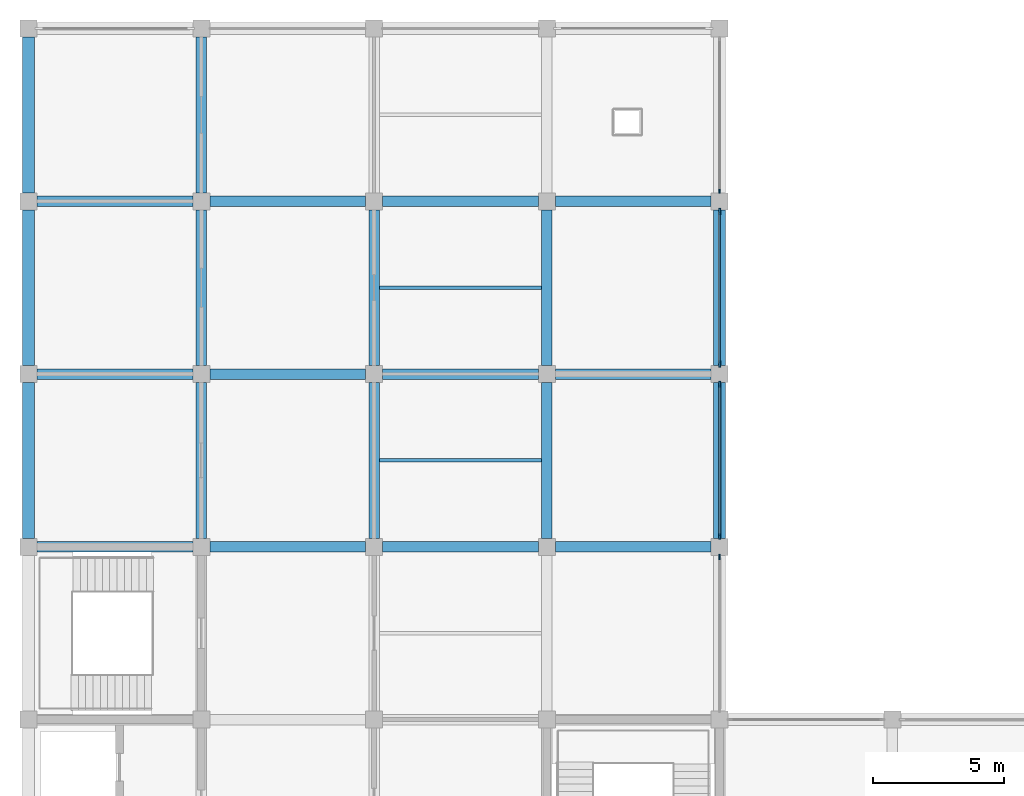
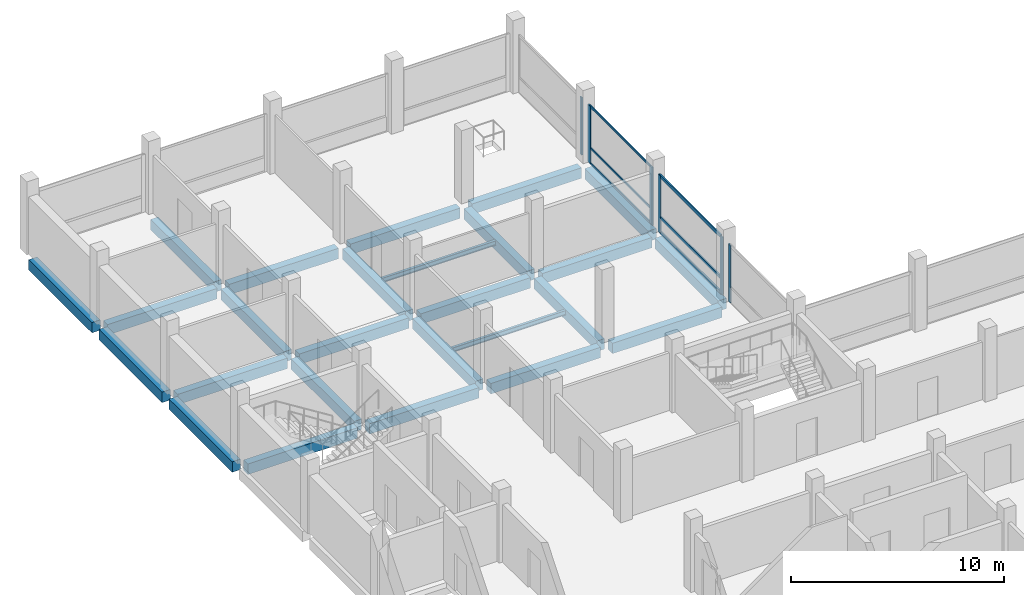
# One storey, part 3 of 9: 26 beams, 12 members, 4 elements without a shape of their own.
"""IFC4 building model written with IfcOpenShell, lengths in metres."""

from ifc_helpers import new_model, si_unit, direction, frame, origin, origin_2d, place, context, subcontext, project, spatial, rectangle, i_section, extrude, material, material_profile, profile_set, type_object, element, aggregate, save


model = new_model("IFC4")

# Units and contexts
model_context = context("Model", 3, precision=1e-05, world=origin(), true_north=direction((0.0, 1.0)))
body_context = subcontext(model_context, "Body", "Model", "MODEL_VIEW")
ifc_project = project(units=[si_unit("LENGTHUNIT", "METRE"), si_unit("AREAUNIT", "SQUARE_METRE"), si_unit("VOLUMEUNIT", "CUBIC_METRE"), si_unit("PLANEANGLEUNIT", "RADIAN"), si_unit("MASSUNIT", "GRAM", prefix="KILO")], contexts=[model_context])

# Site, building, storey
site_placement = place(None, origin())
site = spatial("IfcSite", under=ifc_project, at=site_placement, CompositionType="ELEMENT")
building_placement = place(site_placement, origin())
building = spatial("IfcBuilding", under=site, at=building_placement, Name="Rusizi Kubbe Research Institute", CompositionType="ELEMENT")
storey_placement = place(building_placement, frame((0.0, 0.0, 60.60009765625)))
storey = spatial("IfcBuildingStorey", under=building, at=storey_placement, Name="L14", CompositionType="ELEMENT", Elevation=60.60009765625)

# Beams
ifc_material_1 = material(Name="Steel S355", Category="steel")
ifc_material_profile_1 = material_profile(ifc_material_1, i_section(OverallWidth=0.135009765625, OverallDepth=0.27001953125, WebThickness=0.006591796875, FlangeThickness=0.01025390625, at=origin_2d()), Name="IPE 270")
ifc_profile_set_1 = profile_set([ifc_material_profile_1], Name="Steel S355")
beam_type_1 = type_object("IfcBeamType", Name="BM-IPE270", PredefinedType="JOIST", material=ifc_profile_set_1)
for number, where, z_axis, x_axis, name in (
    (1, (13.39990234375, 36.300048828125, -0.43505859375), (1.0, 0.0, 0.0), (0.0, 1.0, 0.0), "Lab Stiffener Joist L14 (2,5)"),
    (2, (13.39990234375, 42.89990234375, -0.43505859375), (1.0, 0.0, 0.0), (0.0, 1.0, 0.0), "Lab Stiffener Joist L14 (2,6)"),
):
    element("IfcBeam", number, at=place(storey_placement, frame(where, z_axis=z_axis, x_axis=x_axis)), inside=storey, type_object=beam_type_1, Name=name, PredefinedType="JOIST", context=body_context, shape_type="SweptSolid", body=[
        extrude(i_section(OverallWidth=0.135009765625, OverallDepth=0.27001953125, WebThickness=0.006591796875, FlangeThickness=0.01025390625, at=origin_2d()), origin(), (0.0, 0.0, 1.0), 6.2001953125),
    ])
ifc_material_2 = material(Name="Concrete C40/50", Category="concrete")
ifc_material_profile_2 = material_profile(ifc_material_2, rectangle(XDim=0.39990234375, YDim=0.60009765625, at=origin_2d()), Name="RC400x600")
ifc_profile_set_2 = profile_set([ifc_material_profile_2], Name="Concrete C40/50")
beam_type_2 = type_object("IfcBeamType", Name="BM-RC400x600", PredefinedType="BEAM", material=ifc_profile_set_2)
for number, where, z_axis, x_axis, name in (
    (3, (0.324951171875, 33.0, -0.60009765625), (1.0, 0.0, 0.0), (0.0, 1.0, 0.0), "Grid Beam H L14 (0,5)"),
    (4, (0.324951171875, 39.60009765625, -0.60009765625), (1.0, 0.0, 0.0), (0.0, 1.0, 0.0), "Grid Beam H L14 (0,6)"),
    (5, (0.324951171875, 46.199951171875, -0.60009765625), (1.0, 0.0, 0.0), (0.0, 1.0, 0.0), "Grid Beam H L14 (0,7)"),
    (6, (6.925048828125, 33.0, -0.60009765625), (1.0, 0.0, 0.0), (0.0, 1.0, 0.0), "Grid Beam H L14 (1,5)"),
    (7, (6.925048828125, 39.60009765625, -0.60009765625), (1.0, 0.0, 0.0), (0.0, 1.0, 0.0), "Grid Beam H L14 (1,6)"),
    (8, (6.925048828125, 46.199951171875, -0.60009765625), (1.0, 0.0, 0.0), (0.0, 1.0, 0.0), "Grid Beam H L14 (1,7)"),
):
    element("IfcBeam", number, at=place(storey_placement, frame(where, z_axis=z_axis, x_axis=x_axis)), inside=storey, type_object=beam_type_2, Name=name, PredefinedType="BEAM", context=body_context, shape_type="SweptSolid", body=[
        extrude(rectangle(XDim=0.39990234375, YDim=0.60009765625, at=origin_2d()), origin(), (0.0, 0.0, 1.0), 5.949951171875),
    ])
for number, where, z_axis, x_axis, name in (
    (9, (13.52490234375, 33.0, -0.60009765625), (1.0, 0.0, 0.0), (0.0, 1.0, 0.0), "Grid Beam H L14 (2,5)"),
    (10, (13.52490234375, 39.60009765625, -0.60009765625), (1.0, 0.0, 0.0), (0.0, 1.0, 0.0), "Grid Beam H L14 (2,6)"),
    (11, (13.52490234375, 46.199951171875, -0.60009765625), (1.0, 0.0, 0.0), (0.0, 1.0, 0.0), "Grid Beam H L14 (2,7)"),
):
    element("IfcBeam", number, at=place(storey_placement, frame(where, z_axis=z_axis, x_axis=x_axis)), inside=storey, type_object=beam_type_2, Name=name, PredefinedType="BEAM", context=body_context, shape_type="SweptSolid", body=[
        extrude(rectangle(XDim=0.39990234375, YDim=0.60009765625, at=origin_2d()), origin(), (0.0, 0.0, 1.0), 5.9501953125),
    ])
for number, where, z_axis, x_axis, name in (
    (12, (20.125, 33.0, -0.60009765625), (1.0, 0.0, 0.0), (0.0, 1.0, 0.0), "Grid Beam H L14 (3,5)"),
    (13, (20.125, 39.60009765625, -0.60009765625), (1.0, 0.0, 0.0), (0.0, 1.0, 0.0), "Grid Beam H L14 (3,6)"),
    (14, (20.125, 46.199951171875, -0.60009765625), (1.0, 0.0, 0.0), (0.0, 1.0, 0.0), "Grid Beam H L14 (3,7)"),
    (15, (6.60009765625, 33.324951171875, -0.60009765625), (0.0, 1.0, 0.0), (-1.0, 0.0, 0.0), "Grid Beam V L14 (1,5)"),
    (16, (6.60009765625, 39.925048828125, -0.60009765625), (0.0, 1.0, 0.0), (-1.0, 0.0, 0.0), "Grid Beam V L14 (1,6)"),
):
    element("IfcBeam", number, at=place(storey_placement, frame(where, z_axis=z_axis, x_axis=x_axis)), inside=storey, type_object=beam_type_2, Name=name, PredefinedType="BEAM", context=body_context, shape_type="SweptSolid", body=[
        extrude(rectangle(XDim=0.39990234375, YDim=0.60009765625, at=origin_2d()), origin(), (0.0, 0.0, 1.0), 5.949951171875),
    ])
beam_1_placement = place(storey_placement, frame((6.60009765625, 46.52490234375, -0.60009765625), z_axis=(0.0, 1.0, 0.0), x_axis=(-1.0, 0.0, 0.0)))
element("IfcBeam", 17, at=beam_1_placement, inside=storey, type_object=beam_type_2, Name="Grid Beam V L14 (1,7)", PredefinedType="BEAM", context=body_context, shape_type="SweptSolid", body=[
    extrude(rectangle(XDim=0.39990234375, YDim=0.60009765625, at=origin_2d()), origin(), (0.0, 0.0, 1.0), 5.9501953125),
])
for number, where, z_axis, x_axis, name in (
    (18, (13.199951171875, 33.324951171875, -0.60009765625), (0.0, 1.0, 0.0), (-1.0, 0.0, 0.0), "Grid Beam V L14 (2,5)"),
    (19, (13.199951171875, 39.925048828125, -0.60009765625), (0.0, 1.0, 0.0), (-1.0, 0.0, 0.0), "Grid Beam V L14 (2,6)"),
    (20, (19.800048828125, 33.324951171875, -0.60009765625), (0.0, 1.0, 0.0), (-1.0, 0.0, 0.0), "Grid Beam V L14 (3,5)"),
    (21, (19.800048828125, 39.925048828125, -0.60009765625), (0.0, 1.0, 0.0), (-1.0, 0.0, 0.0), "Grid Beam V L14 (3,6)"),
):
    element("IfcBeam", number, at=place(storey_placement, frame(where, z_axis=z_axis, x_axis=x_axis)), inside=storey, type_object=beam_type_2, Name=name, PredefinedType="BEAM", context=body_context, shape_type="SweptSolid", body=[
        extrude(rectangle(XDim=0.39990234375, YDim=0.60009765625, at=origin_2d()), origin(), (0.0, 0.0, 1.0), 5.949951171875),
    ])
ifc_material_3 = material(Name="Concrete C40/50", Category="concrete")
ifc_material_profile_3 = material_profile(ifc_material_3, rectangle(XDim=0.449951171875, YDim=0.60009765625, at=origin_2d()), Name="RC450x600")
ifc_profile_set_3 = profile_set([ifc_material_profile_3], Name="Concrete C40/50")
beam_type_3 = type_object("IfcBeamType", Name="BM-RC450x600", PredefinedType="SPANDREL", material=ifc_profile_set_3)
for number, where, z_axis, x_axis, name in (
    (22, (0.0, 33.324951171875, -0.60009765625), (0.0, 1.0, 0.0), (-1.0, 0.0, 0.0), "Grid Beam V L14 (0,5)"),
    (23, (0.0, 39.925048828125, -0.60009765625), (0.0, 1.0, 0.0), (-1.0, 0.0, 0.0), "Grid Beam V L14 (0,6)"),
):
    element("IfcBeam", number, at=place(storey_placement, frame(where, z_axis=z_axis, x_axis=x_axis)), inside=storey, type_object=beam_type_3, Name=name, PredefinedType="SPANDREL", context=body_context, shape_type="SweptSolid", body=[
        extrude(rectangle(XDim=0.449951171875, YDim=0.60009765625, at=origin_2d()), origin(), (0.0, 0.0, 1.0), 5.949951171875),
    ])
beam_2_placement = place(storey_placement, frame((0.0, 46.52490234375, -0.60009765625), z_axis=(0.0, 1.0, 0.0), x_axis=(-1.0, 0.0, 0.0)))
element("IfcBeam", 24, at=beam_2_placement, inside=storey, type_object=beam_type_3, Name="Grid Beam V L14 (0,7)", PredefinedType="SPANDREL", context=body_context, shape_type="SweptSolid", body=[
    extrude(rectangle(XDim=0.449951171875, YDim=0.60009765625, at=origin_2d()), origin(), (0.0, 0.0, 1.0), 5.9501953125),
])
for number, where, z_axis, x_axis, name in (
    (25, (26.39990234375, 33.324951171875, -0.60009765625), (0.0, 1.0, 0.0), (-1.0, 0.0, 0.0), "Grid Beam V L14 (4,5)"),
    (26, (26.39990234375, 39.925048828125, -0.60009765625), (0.0, 1.0, 0.0), (-1.0, 0.0, 0.0), "Grid Beam V L14 (4,6)"),
):
    element("IfcBeam", number, at=place(storey_placement, frame(where, z_axis=z_axis, x_axis=x_axis)), inside=storey, type_object=beam_type_3, Name=name, PredefinedType="SPANDREL", context=body_context, shape_type="SweptSolid", body=[
        extrude(rectangle(XDim=0.449951171875, YDim=0.60009765625, at=origin_2d()), origin(), (0.0, 0.0, 1.0), 5.949951171875),
    ])

# Curtain wall, member
ifc_material_4 = material(Name="Thermally Broken Aluminium and Low-E Glazing", Category="aluminium")
curtain_wall_type = type_object("IfcCurtainWallType", Name="CW-16", PredefinedType="NOTDEFINED", material=ifc_material_4)
curtain_wall_1_placement = place(storey_placement, origin())
curtain_wall_1 = element("IfcCurtainWall", 27, at=curtain_wall_1_placement, inside=storey, type_object=curtain_wall_type, Name="Unitised Facade Curtain Wall CW-L14-V-04-07", PredefinedType="NOTDEFINED")
ifc_material_5 = material(Name="Aluminium Alloy 6063-T6", Category="aluminium")
ifc_material_profile_4 = material_profile(ifc_material_5, rectangle(XDim=0.06005859375, YDim=0.14990234375, at=origin_2d()), Name="ALU-M 60x150")
ifc_profile_set_4 = profile_set([ifc_material_profile_4], Name="Aluminium Alloy 6063-T6")
member_type_1 = type_object("IfcMemberType", Name="ML-01", PredefinedType="MULLION", material=ifc_profile_set_4)
member_1_placement = place(storey_placement, frame((26.39990234375, 46.5849609375, 0.0), z_axis=(0.0, 0.0, 1.0), x_axis=(-1.0, 0.0, 0.0)))
member_1 = element("IfcMember", 28, at=member_1_placement, type_object=member_type_1, Name="CW-16 mullion 1", PredefinedType="MULLION", context=body_context, shape_type="SweptSolid", body=[
    extrude(rectangle(XDim=0.06005859375, YDim=0.14990234375, at=origin_2d()), origin(), (0.0, 0.0, 1.0), 3.309814453125),
])
aggregate(curtain_wall_1, [member_1])

curtain_wall_2_placement = place(storey_placement, origin())
curtain_wall_2 = element("IfcCurtainWall", 29, at=curtain_wall_2_placement, inside=storey, type_object=curtain_wall_type, Name="Unitised Facade Curtain Wall CW-L14-V-04-04", PredefinedType="NOTDEFINED")
ifc_material_6 = material(Name="Aluminium Alloy 6063-T6", Category="aluminium")
ifc_material_profile_5 = material_profile(ifc_material_6, rectangle(XDim=0.06494140625, YDim=0.199951171875, at=origin_2d()), Name="ALU-M 65x200")
ifc_profile_set_5 = profile_set([ifc_material_profile_5], Name="Aluminium Alloy 6063-T6")
member_type_2 = type_object("IfcMemberType", Name="ML-03", PredefinedType="MULLION", material=ifc_profile_set_5)
member_2_placement = place(storey_placement, frame((26.39990234375, 32.612548828125, 0.0), z_axis=(0.0, 0.0, 1.0), x_axis=(-1.0, 0.0, 0.0)))
member_2 = element("IfcMember", 30, at=member_2_placement, type_object=member_type_2, Name="CW-16 mullion 2", PredefinedType="MULLION", context=body_context, shape_type="SweptSolid", body=[
    extrude(rectangle(XDim=0.06494140625, YDim=0.199951171875, at=origin_2d()), origin(), (0.0, 0.0, 1.0), 3.309814453125),
])
aggregate(curtain_wall_2, [member_2])

# Curtain wall, members
curtain_wall_3_placement = place(storey_placement, origin())
curtain_wall_3 = element("IfcCurtainWall", 31, at=curtain_wall_3_placement, inside=storey, type_object=curtain_wall_type, Name="Unitised Facade Curtain Wall CW-L14-V-04-05", PredefinedType="NOTDEFINED")
ifc_material_7 = material(Name="Aluminium Alloy 6063-T6", Category="aluminium")
ifc_material_profile_6 = material_profile(ifc_material_7, rectangle(XDim=0.070068359375, YDim=0.219970703125, at=origin_2d()), Name="ALU-M 70x220")
ifc_profile_set_6 = profile_set([ifc_material_profile_6], Name="Aluminium Alloy 6063-T6")
member_type_3 = type_object("IfcMemberType", Name="ML-04", PredefinedType="MULLION", material=ifc_profile_set_6)
member_3_placement = place(storey_placement, frame((26.39990234375, 33.389892578125, 0.0), z_axis=(0.0, 0.0, 1.0), x_axis=(-1.0, 0.0, 0.0)))
member_3 = element("IfcMember", 32, at=member_3_placement, type_object=member_type_3, Name="CW-16 mullion 1", PredefinedType="MULLION", context=body_context, shape_type="SweptSolid", body=[
    extrude(rectangle(XDim=0.070068359375, YDim=0.219970703125, at=origin_2d()), origin(), (0.0, 0.0, 1.0), 3.309814453125),
])
member_4_placement = place(storey_placement, frame((26.39990234375, 39.2099609375, 0.0), z_axis=(0.0, 0.0, 1.0), x_axis=(-1.0, 0.0, 0.0)))
member_4 = element("IfcMember", 33, at=member_4_placement, type_object=member_type_3, Name="CW-16 mullion 2", PredefinedType="MULLION", context=body_context, shape_type="SweptSolid", body=[
    extrude(rectangle(XDim=0.070068359375, YDim=0.219970703125, at=origin_2d()), origin(), (0.0, 0.0, 1.0), 3.309814453125),
])

curtain_wall_4_placement = place(storey_placement, origin())
curtain_wall_4 = element("IfcCurtainWall", 34, at=curtain_wall_4_placement, inside=storey, type_object=curtain_wall_type, Name="Unitised Facade Curtain Wall CW-L14-V-04-06", PredefinedType="NOTDEFINED")
ifc_material_8 = material(Name="Aluminium Alloy 6063-T6", Category="aluminium")
ifc_material_profile_7 = material_profile(ifc_material_8, rectangle(XDim=0.074951171875, YDim=0.25, at=origin_2d()), Name="ALU-M 75x250")
ifc_profile_set_7 = profile_set([ifc_material_profile_7], Name="Aluminium Alloy 6063-T6")
member_type_4 = type_object("IfcMemberType", Name="ML-05", PredefinedType="MULLION", material=ifc_profile_set_7)
member_5_placement = place(storey_placement, frame((26.39990234375, 39.992431640625, 0.0), z_axis=(0.0, 0.0, 1.0), x_axis=(-1.0, 0.0, 0.0)))
member_5 = element("IfcMember", 35, at=member_5_placement, type_object=member_type_4, Name="CW-16 mullion 1", PredefinedType="MULLION", context=body_context, shape_type="SweptSolid", body=[
    extrude(rectangle(XDim=0.074951171875, YDim=0.25, at=origin_2d()), origin(), (0.0, 0.0, 1.0), 3.309814453125),
])
member_6_placement = place(storey_placement, frame((26.39990234375, 45.8076171875, 0.0), z_axis=(0.0, 0.0, 1.0), x_axis=(-1.0, 0.0, 0.0)))
member_6 = element("IfcMember", 36, at=member_6_placement, type_object=member_type_4, Name="CW-16 mullion 2", PredefinedType="MULLION", context=body_context, shape_type="SweptSolid", body=[
    extrude(rectangle(XDim=0.074951171875, YDim=0.25, at=origin_2d()), origin(), (0.0, 0.0, 1.0), 3.309814453125),
])
ifc_material_9 = material(Name="Aluminium Alloy 6063-T6", Category="aluminium")
ifc_material_profile_8 = material_profile(ifc_material_9, rectangle(XDim=0.06005859375, YDim=0.1201171875, at=origin_2d()), Name="ALU-T 60x120")
ifc_profile_set_8 = profile_set([ifc_material_profile_8], Name="Aluminium Alloy 6063-T6")
member_type_5 = type_object("IfcMemberType", Name="TR-01", PredefinedType="USERDEFINED", material=ifc_profile_set_8)
member_7_placement = place(storey_placement, frame((26.39990234375, 40.030029296875, 0.02978515625), z_axis=(0.0, 1.0, 0.0), x_axis=(-1.0, 0.0, 0.0)))
member_7 = element("IfcMember", 37, at=member_7_placement, type_object=member_type_5, Name="CW-16 transom 1.1", ObjectType="TRANSOM", PredefinedType="USERDEFINED", context=body_context, shape_type="SweptSolid", body=[
    extrude(rectangle(XDim=0.06005859375, YDim=0.1201171875, at=origin_2d()), origin(), (0.0, 0.0, 1.0), 5.739990234375),
])
member_8_placement = place(storey_placement, frame((26.39990234375, 40.030029296875, 0.89990234375), z_axis=(0.0, 1.0, 0.0), x_axis=(-1.0, 0.0, 0.0)))
member_8 = element("IfcMember", 38, at=member_8_placement, type_object=member_type_5, Name="CW-16 transom 1.2", ObjectType="TRANSOM", PredefinedType="USERDEFINED", context=body_context, shape_type="SweptSolid", body=[
    extrude(rectangle(XDim=0.06005859375, YDim=0.1201171875, at=origin_2d()), origin(), (0.0, 0.0, 1.0), 5.739990234375),
])
member_9_placement = place(storey_placement, frame((26.39990234375, 40.030029296875, 3.27978515625), z_axis=(0.0, 1.0, 0.0), x_axis=(-1.0, 0.0, 0.0)))
member_9 = element("IfcMember", 39, at=member_9_placement, type_object=member_type_5, Name="CW-16 transom 1.3", ObjectType="TRANSOM", PredefinedType="USERDEFINED", context=body_context, shape_type="SweptSolid", body=[
    extrude(rectangle(XDim=0.06005859375, YDim=0.1201171875, at=origin_2d()), origin(), (0.0, 0.0, 1.0), 5.739990234375),
])
aggregate(curtain_wall_4, [member_5, member_6, member_7, member_8, member_9])

# Member
ifc_material_10 = material(Name="Aluminium Alloy 6063-T6", Category="aluminium")
ifc_material_profile_9 = material_profile(ifc_material_10, rectangle(XDim=0.070068359375, YDim=0.18994140625, at=origin_2d()), Name="ALU-T 70x190")
ifc_profile_set_9 = profile_set([ifc_material_profile_9], Name="Aluminium Alloy 6063-T6")
member_type_6 = type_object("IfcMemberType", Name="TR-04", PredefinedType="USERDEFINED", material=ifc_profile_set_9)
member_10_placement = place(storey_placement, frame((26.39990234375, 33.425048828125, 0.034912109375), z_axis=(0.0, 1.0, 0.0), x_axis=(-1.0, 0.0, 0.0)))
member_10 = element("IfcMember", 40, at=member_10_placement, type_object=member_type_6, Name="CW-16 transom 1.1", ObjectType="TRANSOM", PredefinedType="USERDEFINED", context=body_context, shape_type="SweptSolid", body=[
    extrude(rectangle(XDim=0.070068359375, YDim=0.18994140625, at=origin_2d()), origin(), (0.0, 0.0, 1.0), 5.75),
])

member_11_placement = place(storey_placement, frame((26.39990234375, 33.425048828125, 0.89990234375), z_axis=(0.0, 1.0, 0.0), x_axis=(-1.0, 0.0, 0.0)))
member_11 = element("IfcMember", 41, at=member_11_placement, type_object=member_type_6, Name="CW-16 transom 1.2", ObjectType="TRANSOM", PredefinedType="USERDEFINED", context=body_context, shape_type="SweptSolid", body=[
    extrude(rectangle(XDim=0.070068359375, YDim=0.18994140625, at=origin_2d()), origin(), (0.0, 0.0, 1.0), 5.75),
])

member_12_placement = place(storey_placement, frame((26.39990234375, 33.425048828125, 3.27490234375), z_axis=(0.0, 1.0, 0.0), x_axis=(-1.0, 0.0, 0.0)))
member_12 = element("IfcMember", 42, at=member_12_placement, type_object=member_type_6, Name="CW-16 transom 1.3", ObjectType="TRANSOM", PredefinedType="USERDEFINED", context=body_context, shape_type="SweptSolid", body=[
    extrude(rectangle(XDim=0.070068359375, YDim=0.18994140625, at=origin_2d()), origin(), (0.0, 0.0, 1.0), 5.75),
])

aggregate(curtain_wall_3, [member_3, member_4, member_10, member_11, member_12])

save(model, "model.ifc")
